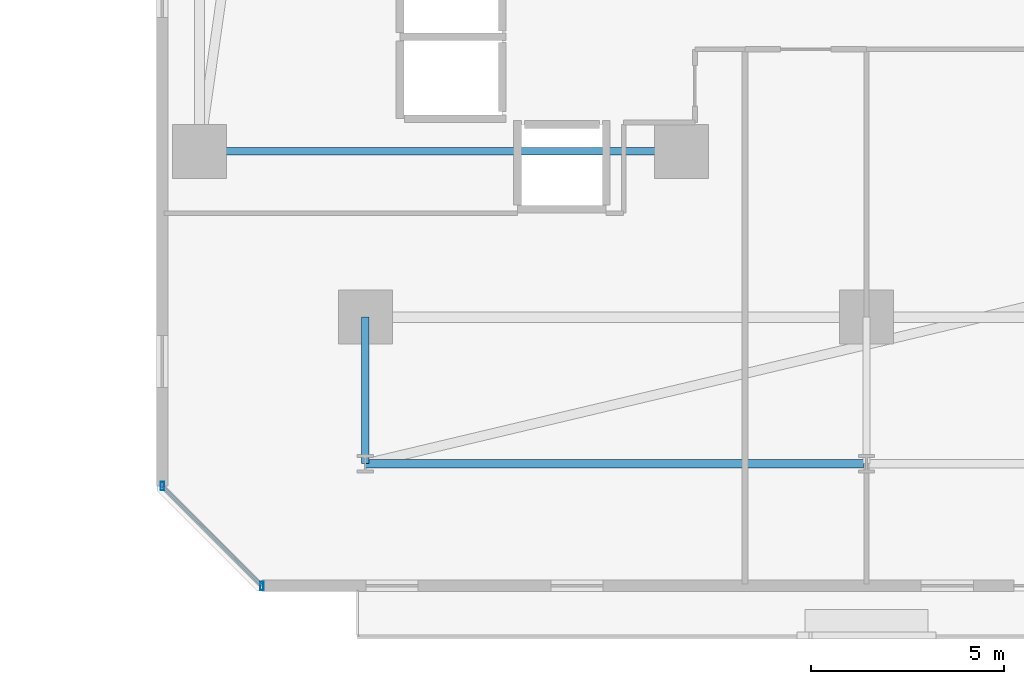
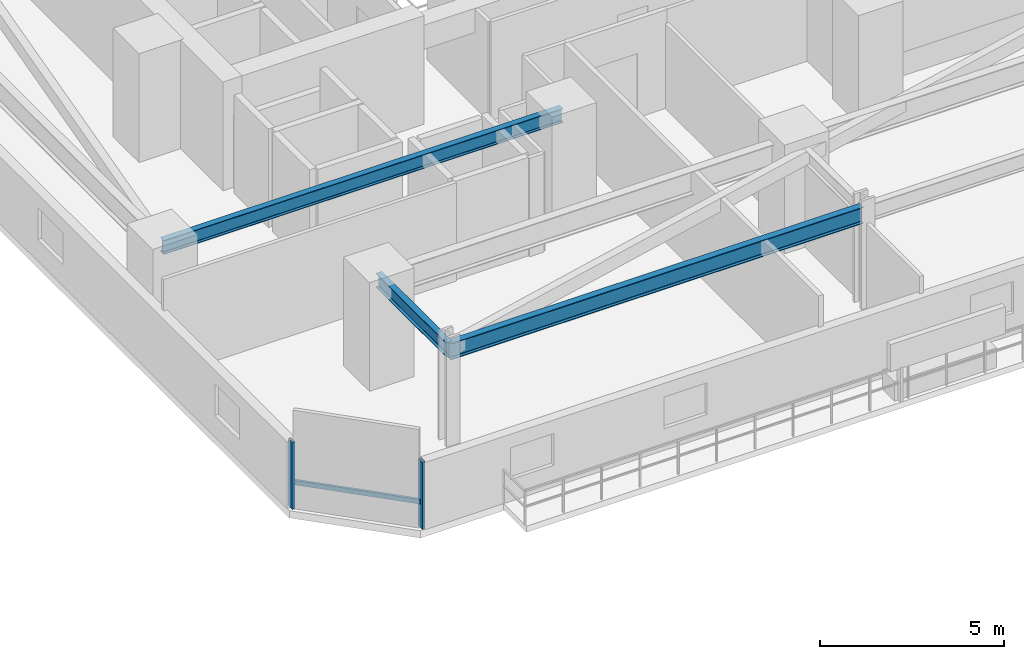
# One storey, part 10 of 36: 3 beams, 3 members, 1 element without a shape of its own.
"""IFC4 building model written with IfcOpenShell, lengths in metres."""

import ifcopenshell
import ifcopenshell.guid

model = None  # the IFC model being written
_history = None  # IfcOwnerHistory: only IFC2X3 demands one
_inside = {}  # id of a spatial element -> (the spatial element, [elements in it])
_under = {}  # id of a project, library or spatial element -> (it, [spatial elements below it])
_declared = {}  # id of a project -> (the project, [libraries it declares])
_typed = {}  # id of a type object -> (the type object, [elements of that type])
_made_of = {}  # id of a material, layer set ... -> (it, [elements and type objects made of it])


def new_model(schema):
    """Start an empty IFC model of exactly this schema.

    Asked for "IFC4X3", IfcOpenShell would pick the latest addendum, in which some entities
    have other attributes; the version numbers below select the first issue.
    IFC2X3 requires an IfcOwnerHistory on every rooted entity: one is made here for all.
    """
    global model, _history
    if schema == "IFC4X3":
        model = ifcopenshell.file(schema_version=(4, 3, 0, 0))
    else:
        model = ifcopenshell.file(schema=schema)
    _inside.clear()
    _under.clear()
    _declared.clear()
    _typed.clear()
    _made_of.clear()
    _history = None
    if model.schema == "IFC2X3":
        org = make("IfcOrganization", Name="unknown")
        user = make(
            "IfcPersonAndOrganization",
            ThePerson=make("IfcPerson", FamilyName="unknown"),
            TheOrganization=org,
        )
        app = make(
            "IfcApplication",
            ApplicationDeveloper=org,
            Version="unknown",
            ApplicationFullName="unknown",
            ApplicationIdentifier="unknown",
        )
        _history = make(
            "IfcOwnerHistory",
            OwningUser=user,
            OwningApplication=app,
            ChangeAction="ADDED",
            CreationDate=0,
        )
    return model


def make(cls, **values):
    """One entity of the class cls with the attributes given. An attribute that is None is left unset."""
    return model.create_entity(
        cls, **{name: value for name, value in values.items() if value is not None}
    )


def rooted(cls, **values):
    """An entity with a GlobalId (a new one), such as an element, a storey or a relation."""
    return make(cls, GlobalId=ifcopenshell.guid.new(), OwnerHistory=_history, **values)


def si_unit(unit_type, name, prefix=None):
    """IfcSIUnit, for example si_unit("LENGTHUNIT", "METRE", prefix="MILLI")."""
    return make("IfcSIUnit", UnitType=unit_type, Prefix=prefix, Name=name)


def assignment(units):
    """IfcUnitAssignment: the units of a project."""
    return None if units is None else make("IfcUnitAssignment", Units=units)


def point(xyz):
    """IfcCartesianPoint."""
    return None if xyz is None else make("IfcCartesianPoint", Coordinates=xyz)


def direction(xyz):
    """IfcDirection."""
    return None if xyz is None else make("IfcDirection", DirectionRatios=xyz)


def frame(location, z_axis=None, x_axis=None):
    """IfcAxis2Placement3D, a coordinate frame: its origin and axes. An axis left out is left unset."""
    return make(
        "IfcAxis2Placement3D",
        Location=point(location),
        Axis=direction(z_axis),
        RefDirection=direction(x_axis),
    )


def frame_2d(location, x_axis=None):
    """IfcAxis2Placement2D, a coordinate frame in the plane: its origin and x axis."""
    return make(
        "IfcAxis2Placement2D", Location=point(location), RefDirection=direction(x_axis)
    )


def origin():
    """The frame at (0, 0, 0) with its axes left unset."""
    return frame((0.0, 0.0, 0.0))


def origin_2d():
    """The frame at (0, 0) in the plane with its x axis left unset."""
    return frame_2d((0.0, 0.0))


def place(relative_to, where):
    """IfcLocalPlacement: puts the frame where relative to a parent placement (None: the world)."""
    return make(
        "IfcLocalPlacement", PlacementRelTo=relative_to, RelativePlacement=where
    )


def context(
    kind, dimensions, precision=None, world=None, true_north=None, identifier=None
):
    """IfcGeometricRepresentationContext, for example the 3D "Model" context."""
    return make(
        "IfcGeometricRepresentationContext",
        ContextIdentifier=identifier,
        ContextType=kind,
        CoordinateSpaceDimension=dimensions,
        Precision=precision,
        WorldCoordinateSystem=world,
        TrueNorth=true_north,
    )


def subcontext(parent, identifier, kind, view, scale=None):
    """IfcGeometricRepresentationSubContext, for example "Body" below "Model"."""
    return make(
        "IfcGeometricRepresentationSubContext",
        ContextIdentifier=identifier,
        ContextType=kind,
        ParentContext=parent,
        TargetScale=scale,
        TargetView=view,
    )


def project(units=None, contexts=None):
    """IfcProject with its units and contexts."""
    return rooted(
        "IfcProject",
        Name="project",
        RepresentationContexts=contexts,
        UnitsInContext=assignment(units),
    )


def spatial(cls, under=None, at=None, **own):
    """A site, building, storey or space (cls), placed at a placement, below another one or the project."""
    s = rooted(cls, ObjectPlacement=at, **own)
    if under is not None:
        _under.setdefault(under.id(), (under, []))[1].append(s)
    return s


def profile(cls, at=None, kind="AREA", **sizes):
    """A parametric profile (cls). Its sizes go by their IFC names, for example OverallWidth=200.0."""
    return make(cls, ProfileType=kind, Position=at, **sizes)


def hollow_rectangle(**sizes):
    """IfcRectangleHollowProfileDef."""
    return profile("IfcRectangleHollowProfileDef", **sizes)


def i_section(**sizes):
    """IfcIShapeProfileDef."""
    return profile("IfcIShapeProfileDef", **sizes)


def extrude(swept, where, along, depth):
    """IfcExtrudedAreaSolid: the profile swept, set in the frame where, extruded along a direction by depth."""
    return make(
        "IfcExtrudedAreaSolid",
        SweptArea=swept,
        Position=where,
        ExtrudedDirection=direction(along),
        Depth=depth,
    )


def shape(context_of_items, identifier, shape_type, items):
    """IfcShapeRepresentation: the items that make up one representation, for example the "Body"."""
    return make(
        "IfcShapeRepresentation",
        ContextOfItems=context_of_items,
        RepresentationIdentifier=identifier,
        RepresentationType=shape_type,
        Items=items,
    )


def material(Name=None, Category=None):
    """IfcMaterial."""
    return make("IfcMaterial", Name=Name, Category=Category)


def material_profile(
    of_material, cross_section, Name=None, Category=None, Priority=None
):
    """IfcMaterialProfile: a cross section and its material."""
    return make(
        "IfcMaterialProfile",
        Name=Name,
        Material=of_material,
        Profile=cross_section,
        Priority=Priority,
        Category=Category,
    )


def profile_set(profiles, Name=None, composite=None):
    """IfcMaterialProfileSet."""
    return make(
        "IfcMaterialProfileSet",
        Name=Name,
        MaterialProfiles=profiles,
        CompositeProfile=composite,
    )


def made_of(thing, what):
    """Note that an element or type object is made of a material, layer set ...; save() writes the relation."""
    if what is not None:
        _made_of.setdefault(what.id(), (what, []))[1].append(thing)
    return thing


def type_object(cls, material=None, **own):
    """A type object (cls), such as IfcWallType, which elements share."""
    return made_of(rooted(cls, **own), material)


def element(
    cls,
    number,
    at=None,
    inside=None,
    cuts=None,
    type_object=None,
    material=None,
    context=None,
    identifier="Body",
    shape_type=None,
    held_by="IfcProductDefinitionShape",
    body=None,
    shapes=None,
    **own,
):
    """One element of the class cls, such as IfcWall. Its Tag is "e" and its number.

    at: its placement. inside: the storey or other place that contains it. cuts: it is an
    opening in that element (IfcRelVoidsElement). A single representation is given by context,
    identifier, shape_type and body (its items); several are given by shapes. held_by: the class
    of the entity that holds the representations. save() writes the other relations.
    """
    e = rooted(cls, Tag="e%d" % number, ObjectPlacement=at, **own)
    if body is not None:
        shapes = [shape(context, identifier, shape_type, body)]
    if shapes is not None:
        e.Representation = make(held_by, Representations=shapes)
    if inside is not None:
        _inside.setdefault(inside.id(), (inside, []))[1].append(e)
    if cuts is not None:
        rooted(
            "IfcRelVoidsElement", RelatingBuildingElement=cuts, RelatedOpeningElement=e
        )
    if type_object is not None:
        _typed.setdefault(type_object.id(), (type_object, []))[1].append(e)
    return made_of(e, material)


def aggregate(whole, parts):
    """IfcRelAggregates: a whole, such as a stair, and the parts it consists of."""
    return rooted("IfcRelAggregates", RelatingObject=whole, RelatedObjects=parts)


def save(model, path):
    """Write the relations noted so far, then the file.

    IfcRelAggregates (storeys below a building ...), IfcRelContainedInSpatialStructure (elements
    in a storey), IfcRelDefinesByType, IfcRelAssociatesMaterial and IfcRelDeclares: one each for
    every whole, place, type object, material and project.
    """
    for whole, parts in _under.values():
        aggregate(whole, parts)
    for where, things in _inside.values():
        rooted(
            "IfcRelContainedInSpatialStructure",
            RelatedElements=things,
            RelatingStructure=where,
        )
    for kind, things in _typed.values():
        rooted("IfcRelDefinesByType", RelatedObjects=things, RelatingType=kind)
    for what, things in _made_of.values():
        rooted("IfcRelAssociatesMaterial", RelatedObjects=things, RelatingMaterial=what)
    for by, libraries in _declared.values():
        rooted("IfcRelDeclares", RelatingContext=by, RelatedDefinitions=libraries)
    model.write(path)


model = new_model("IFC4")

# Units and contexts
model_context = context("Model", 3, precision=1e-05, world=origin(), true_north=direction((0.0, 1.0)))
body_context = subcontext(model_context, "Body", "Model", "MODEL_VIEW")
ifc_project = project(units=[si_unit("LENGTHUNIT", "METRE"), si_unit("AREAUNIT", "SQUARE_METRE"), si_unit("VOLUMEUNIT", "CUBIC_METRE"), si_unit("PLANEANGLEUNIT", "RADIAN"), si_unit("MASSUNIT", "GRAM", prefix="KILO")], contexts=[model_context])

# Site, building, storey
site_placement = place(None, origin())
site = spatial("IfcSite", under=ifc_project, at=site_placement, CompositionType="ELEMENT")
building_placement = place(site_placement, origin())
building = spatial("IfcBuilding", under=site, at=building_placement, Name="Thornwick Lancets Civic Towers", CompositionType="ELEMENT")
storey_placement = place(building_placement, frame((0.0, 0.0, 45.89990234375)))
storey = spatial("IfcBuildingStorey", under=building, at=storey_placement, Name="L11", CompositionType="ELEMENT", Elevation=45.89990234375)

# Beams
ifc_material_1 = material(Name="Steel S355JR", Category="steel")
ifc_material_profile_1 = material_profile(ifc_material_1, i_section(OverallWidth=0.2119140625, OverallDepth=0.54443359375, WebThickness=0.0126953125, FlangeThickness=0.021240234375, FilletRadius=0.0126953125, at=origin_2d()), Name="UKB 533x210x122")
ifc_profile_set_1 = profile_set([ifc_material_profile_1], Name="Steel S355JR")
beam_type_1 = type_object("IfcBeamType", Name="BM_EDGE_533_122", PredefinedType="SPANDREL", material=ifc_profile_set_1)
beam_1_placement = place(storey_placement, frame((88.419921875, 5.89990234375, 3.0078125), z_axis=(-1.0, 0.0, 0.0), x_axis=(0.0, -1.0, 0.0)))
element("IfcBeam", 1, at=beam_1_placement, inside=storey, type_object=beam_type_1, Name="BM-EDGE-L11-B-S3-2", PredefinedType="SPANDREL", context=body_context, shape_type="SweptSolid", body=[
    extrude(i_section(OverallWidth=0.2119140625, OverallDepth=0.54443359375, WebThickness=0.0126953125, FlangeThickness=0.021240234375, FilletRadius=0.0126953125, at=origin_2d()), origin(), (0.0, 0.0, 1.0), 12.919921875),
])
ifc_material_profile_2 = material_profile(ifc_material_1, i_section(OverallWidth=0.19189453125, OverallDepth=0.46337890625, WebThickness=0.010498046875, FlangeThickness=0.017578125, FilletRadius=0.01025390625, at=origin_2d()), Name="UKB 457x191x89")
ifc_profile_set_2 = profile_set([ifc_material_profile_2], Name="Steel S355JR")
beam_type_2 = type_object("IfcBeamType", Name="BM_JOIST_457_89", PredefinedType="JOIST", material=ifc_profile_set_2)
beam_2_placement = place(storey_placement, frame((83.699951171875, 14.0, 3.04833984375), z_axis=(-1.0, 0.0, 0.0), x_axis=(0.0, -1.0, 0.0)))
element("IfcBeam", 2, at=beam_2_placement, inside=storey, type_object=beam_type_2, Name="BM-RADIN-L11-B07", PredefinedType="JOIST", context=body_context, shape_type="SweptSolid", body=[
    extrude(i_section(OverallWidth=0.19189453125, OverallDepth=0.46337890625, WebThickness=0.010498046875, FlangeThickness=0.017578125, FilletRadius=0.01025390625, at=origin_2d()), origin(), (0.0, 0.0, 1.0), 12.5),
])
beam_3_placement = place(storey_placement, frame((75.5, 9.699951171875, 3.04833984375), z_axis=(0.0, -1.0, 0.0), x_axis=(1.0, 0.0, 0.0)))
element("IfcBeam", 3, at=beam_3_placement, inside=storey, type_object=beam_type_2, Name="BM-RAD-L11-B12", PredefinedType="JOIST", context=body_context, shape_type="SweptSolid", body=[
    extrude(i_section(OverallWidth=0.19189453125, OverallDepth=0.46337890625, WebThickness=0.010498046875, FlangeThickness=0.017578125, FilletRadius=0.01025390625, at=origin_2d()), origin(), (0.0, 0.0, 1.0), 3.800048828125),
])

# Curtain wall, members
ifc_material_2 = material(Name="Low-zone chamfered-corner unitised glass curtain wall", Category="glass")
curtain_wall_type = type_object("IfcCurtainWallType", Name="CW_SYS_03", PredefinedType="NOTDEFINED", material=ifc_material_2)
curtain_wall_placement = place(storey_placement, origin())
curtain_wall = element("IfcCurtainWall", 4, at=curtain_wall_placement, inside=storey, type_object=curtain_wall_type, Name="L11 Curtain Wall CW-L11-B-E7", PredefinedType="NOTDEFINED")
ifc_material_3 = material(Name="Thermally broken bronze aluminium S355", Category="steel")
ifc_material_profile_3 = material_profile(ifc_material_3, hollow_rectangle(XDim=0.090087890625, YDim=0.219970703125, WallThickness=0.00634765625, at=origin_2d()), Name="RHS 220x90x6.3")
ifc_profile_set_3 = profile_set([ifc_material_profile_3], Name="Thermally broken bronze aluminium S355")
member_type_1 = type_object("IfcMemberType", Name="CW_MUL_220", PredefinedType="MULLION", material=ifc_profile_set_3)
member_1_placement = place(storey_placement, frame((70.235107421875, 5.31884765625, 0.0), z_axis=(0.0, 0.0, 1.0), x_axis=(1.0, 0.0, 0.0)))
member_1 = element("IfcMember", 5, at=member_1_placement, type_object=member_type_1, Name="CW-L11-B-E7 Mullion 0", PredefinedType="MULLION", context=body_context, shape_type="SweptSolid", body=[
    extrude(hollow_rectangle(XDim=0.090087890625, YDim=0.219970703125, WallThickness=0.00634765625, at=origin_2d()), origin(), (0.0, 0.0, 1.0), 2.22021484375),
])
member_2_placement = place(storey_placement, frame((72.81884765625, 2.735107421875, 0.0), z_axis=(0.0, 0.0, 1.0), x_axis=(1.0, 0.0, 0.0)))
member_2 = element("IfcMember", 6, at=member_2_placement, type_object=member_type_1, Name="CW-L11-B-E7 Mullion 1", PredefinedType="MULLION", context=body_context, shape_type="SweptSolid", body=[
    extrude(hollow_rectangle(XDim=0.090087890625, YDim=0.219970703125, WallThickness=0.00634765625, at=origin_2d()), origin(), (0.0, 0.0, 1.0), 2.22021484375),
])
ifc_material_profile_4 = material_profile(ifc_material_3, hollow_rectangle(XDim=0.074951171875, YDim=0.14990234375, WallThickness=0.0048828125, at=origin_2d()), Name="RHS 150x75x5")
ifc_profile_set_4 = profile_set([ifc_material_profile_4], Name="Thermally broken bronze aluminium S355")
member_type_2 = type_object("IfcMemberType", Name="CW_TRN_150", PredefinedType="USERDEFINED", material=ifc_profile_set_4)
member_3_placement = place(storey_placement, frame((70.249267578125, 5.3046875, 0.85009765625), z_axis=(0.707106781187, -0.707106781187, 0.0), x_axis=(0.707106781187, 0.707106781187, 0.0)))
member_3 = element("IfcMember", 7, at=member_3_placement, type_object=member_type_2, Name="CW-L11-B-E7 Transom 0", ObjectType="TRANSOM", PredefinedType="USERDEFINED", context=body_context, shape_type="SweptSolid", body=[
    extrude(hollow_rectangle(XDim=0.074951171875, YDim=0.14990234375, WallThickness=0.0048828125, at=origin_2d()), origin(), (0.0, 0.0, 1.0), 3.614013671875),
])
aggregate(curtain_wall, [member_1, member_2, member_3])

save(model, "model.ifc")
